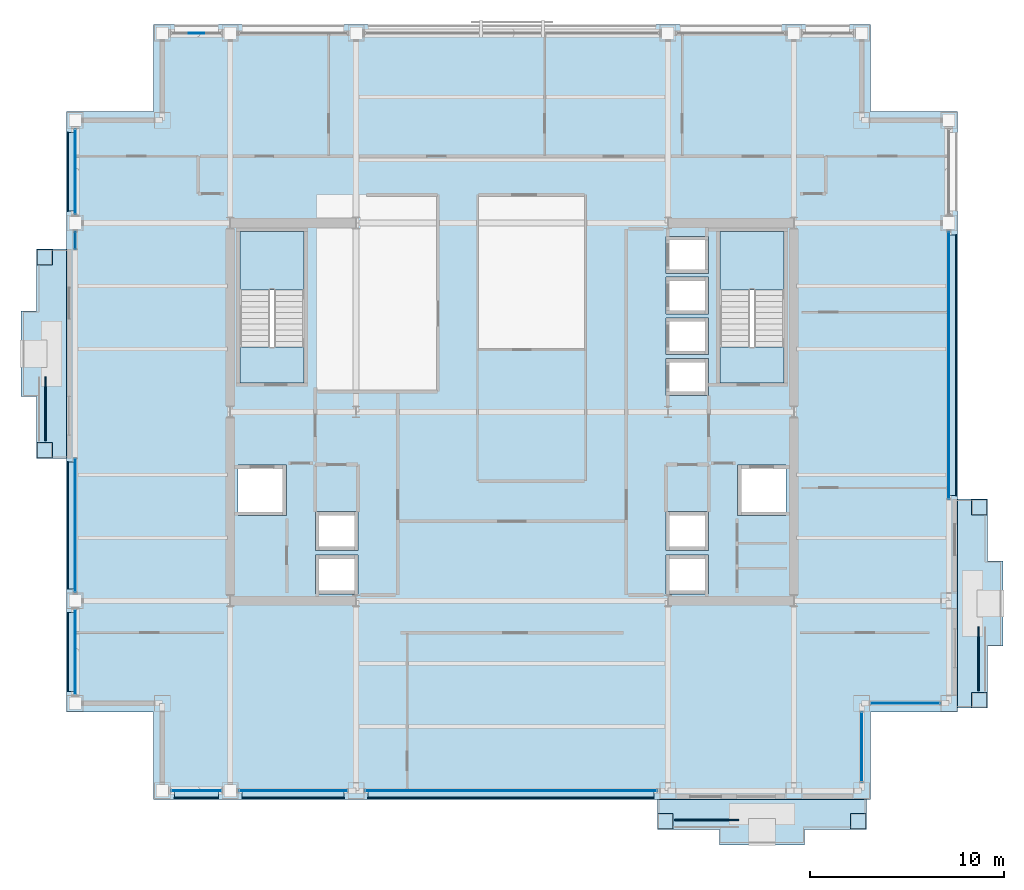
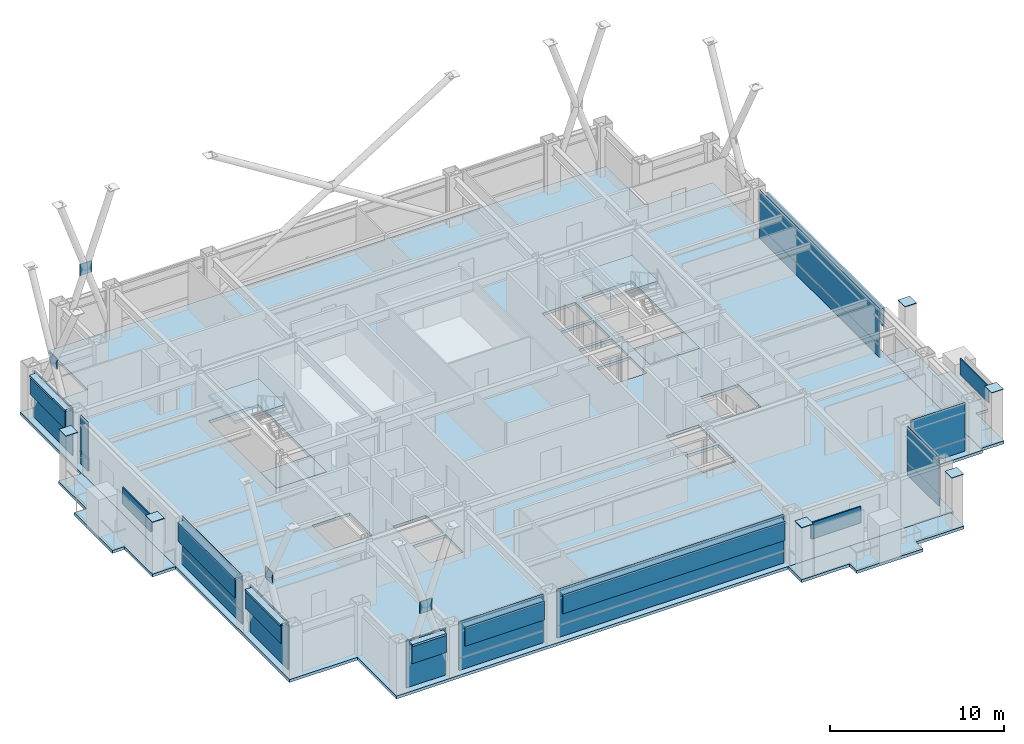
# One storey, part 24 of 32: 44 plates, 8 slabs, 1 member, 12 elements without a shape of their own.
"""IFC4 building model written with IfcOpenShell, lengths in metres."""

from ifc_helpers import new_model, si_unit, direction, frame, origin, origin_2d, place, context, subcontext, project, spatial, polyline, rectangle, hollow_rectangle, outline, extrude, material, layer, layer_set, material_profile, profile_set, type_object, element, aggregate, save


model = new_model("IFC4")

# Units and contexts
model_context = context("Model", 3, precision=1e-05, world=origin(), true_north=direction((0.0, 1.0)))
body_context = subcontext(model_context, "Body", "Model", "MODEL_VIEW")
ifc_project = project(units=[si_unit("LENGTHUNIT", "METRE"), si_unit("AREAUNIT", "SQUARE_METRE"), si_unit("VOLUMEUNIT", "CUBIC_METRE"), si_unit("PLANEANGLEUNIT", "RADIAN"), si_unit("MASSUNIT", "GRAM", prefix="KILO")], contexts=[model_context])

# Site, building, storey
site_placement = place(None, origin())
site = spatial("IfcSite", under=ifc_project, at=site_placement, CompositionType="ELEMENT")
building_placement = place(site_placement, origin())
building = spatial("IfcBuilding", under=site, at=building_placement, Name="Brelmoor Portico Tower", CompositionType="ELEMENT")
storey_placement = place(building_placement, frame((0.0, 0.0, 109.800048828125)))
storey = spatial("IfcBuildingStorey", under=building, at=storey_placement, Name="L28", CompositionType="ELEMENT", Elevation=109.800048828125)

# Curtain wall, member
ifc_material_1 = material(Name="Anodised Aluminium Alloy 6063-T6", Category="aluminium")
ifc_layer_1 = layer(ifc_material_1, 0.179931640625)
ifc_layer_set_1 = layer_set([ifc_layer_1], Name="Anodised Aluminium Alloy 6063-T6")
curtain_wall_type_1 = type_object("IfcCurtainWallType", Name="CW-TOWER-Z2", PredefinedType="NOTDEFINED", material=ifc_layer_set_1)
curtain_wall_1_placement = place(storey_placement, origin())
curtain_wall_1 = element("IfcCurtainWall", 1, at=curtain_wall_1_placement, inside=storey, type_object=curtain_wall_type_1, Name="L28 Curtain Wall CW-L28-3R-1", PredefinedType="NOTDEFINED")
ifc_material_profile = material_profile(ifc_material_1, hollow_rectangle(XDim=0.06494140625, YDim=0.139892578125, WallThickness=0.00390625, at=origin_2d()), Name="ALU TRANSOM 65x140")
ifc_profile_set = profile_set([ifc_material_profile], Name="Anodised Aluminium Alloy 6063-T6")
member_type = type_object("IfcMemberType", Name="MB-CW-TRAN-140", PredefinedType="USERDEFINED", material=ifc_profile_set)
member_placement = place(storey_placement, frame((-22.550048828125, 8.39990234375, 0.849853515625), z_axis=(0.0, 1.0, 0.0), x_axis=(-1.0, 0.0, 0.0)))
member = element("IfcMember", 2, at=member_placement, type_object=member_type, Name="CW-L28-3R-1 Transom 1-00", ObjectType="TRANSOM", PredefinedType="USERDEFINED", context=body_context, shape_type="SweptSolid", body=[
    extrude(hollow_rectangle(XDim=0.06494140625, YDim=0.139892578125, WallThickness=0.00390625, at=origin_2d()), origin(), (0.0, 0.0, 1.0), 0.9150390625),
])

# Plates
ifc_material_2 = material(Name="Steel Q355B", Category="steel")
ifc_layer_2 = layer(ifc_material_2, 0.044921875)
ifc_layer_set_2 = layer_set([ifc_layer_2], Name="Steel Q355B")
plate_type_1 = type_object("IfcPlateType", Name="PT-CAP-650", PredefinedType="SHEET", material=ifc_layer_set_2)
for number, where, z_axis, x_axis, name in (
    (3, (7.919921875, -21.1298828125, 3.599853515625), (0.0, 0.0, 1.0), (1.0, 0.0, 0.0), "L28 Proud Picture-Frame Pier PFJ-S1 Welded Head Cap Plate"),
    (4, (17.8798828125, -21.1298828125, 3.599853515625), (0.0, 0.0, 1.0), (1.0, 0.0, 0.0), "L28 Proud Picture-Frame Pier PFJ-S2 Welded Head Cap Plate"),
    (5, (24.1298828125, -14.8798828125, 3.599853515625), (0.0, 0.0, 1.0), (0.0, 1.0, 0.0), "L28 Proud Picture-Frame Pier PFJ-E1 Welded Head Cap Plate"),
    (6, (24.1298828125, -4.919921875, 3.599853515625), (0.0, 0.0, 1.0), (0.0, 1.0, 0.0), "L28 Proud Picture-Frame Pier PFJ-E2 Welded Head Cap Plate"),
    (7, (-24.1298828125, -1.97998046875, 3.599853515625), (0.0, 0.0, 1.0), (0.0, 1.0, 0.0), "L28 Proud Picture-Frame Pier PFJ-W1 Welded Head Cap Plate"),
    (8, (-24.1298828125, 7.97998046875, 3.599853515625), (0.0, 0.0, 1.0), (0.0, 1.0, 0.0), "L28 Proud Picture-Frame Pier PFJ-W2 Welded Head Cap Plate"),
):
    element("IfcPlate", number, at=place(storey_placement, frame(where, z_axis=z_axis, x_axis=x_axis)), inside=storey, type_object=plate_type_1, Name=name, PredefinedType="SHEET", context=body_context, shape_type="SweptSolid", body=[
        extrude(rectangle(XDim=0.7900390625, YDim=0.7900390625, at=origin_2d()), origin(), (0.0, 0.0, 1.0), 0.0400390625),
    ])

# Curtain wall, plate
curtain_wall_2_placement = place(storey_placement, origin())
curtain_wall_2 = element("IfcCurtainWall", 9, at=curtain_wall_2_placement, inside=storey, type_object=curtain_wall_type_1, Name="L28 Curtain Wall CW-L28-1L-2", PredefinedType="NOTDEFINED")
ifc_material_3 = material(Name="Double-Silver Low-E Insulated Glazing", Category="glass")
ifc_layer_3 = layer(ifc_material_3, 0.035888671875)
ifc_layer_set_3 = layer_set([ifc_layer_3], Name="Double-Silver Low-E Insulated Glazing")
plate_type_2 = type_object("IfcPlateType", Name="PT-CW-GLASS", PredefinedType="CURTAIN_PANEL", material=ifc_layer_set_3)
plate_1_placement = place(storey_placement, frame((-11.300048828125, -19.550048828125, 0.85009765625), z_axis=(0.0, 0.0, 1.0), x_axis=(1.0, 0.0, 0.0)))
plate_1 = element("IfcPlate", 10, at=plate_1_placement, type_object=plate_type_2, Name="CW-L28-1L-2 Vision Glass Panel 00", PredefinedType="CURTAIN_PANEL", context=body_context, shape_type="SweptSolid", body=[
    extrude(rectangle(XDim=5.60009765625, YDim=0.035888671875, at=origin_2d()), origin(), (0.0, 0.0, 1.0), 2.550048828125),
])

curtain_wall_3_placement = place(storey_placement, origin())
curtain_wall_3 = element("IfcCurtainWall", 11, at=curtain_wall_3_placement, inside=storey, type_object=curtain_wall_type_1, Name="L28 Curtain Wall CW-L28-1L-3", PredefinedType="NOTDEFINED")
plate_2_placement = place(storey_placement, frame((-0.0576171875, -19.550048828125, 0.85009765625), z_axis=(0.0, 0.0, 1.0), x_axis=(1.0, 0.0, 0.0)))
plate_2 = element("IfcPlate", 12, at=plate_2_placement, type_object=plate_type_2, Name="CW-L28-1L-3 Vision Glass Panel 00", PredefinedType="CURTAIN_PANEL", context=body_context, shape_type="SweptSolid", body=[
    extrude(rectangle(XDim=15.0849609375, YDim=0.035888671875, at=origin_2d()), origin(), (0.0, 0.0, 1.0), 2.550048828125),
])

curtain_wall_4_placement = place(storey_placement, origin())
curtain_wall_4 = element("IfcCurtainWall", 13, at=curtain_wall_4_placement, inside=storey, type_object=curtain_wall_type_1, Name="L28 Curtain Wall CW-L28-3L-2", PredefinedType="NOTDEFINED")
plate_3_placement = place(storey_placement, frame((-22.550048828125, -5.857421875, 0.85009765625), z_axis=(0.0, 0.0, 1.0), x_axis=(0.0, 1.0, 0.0)))
plate_3 = element("IfcPlate", 14, at=plate_3_placement, type_object=plate_type_2, Name="CW-L28-3L-2 Vision Glass Panel 00", PredefinedType="CURTAIN_PANEL", context=body_context, shape_type="SweptSolid", body=[
    extrude(rectangle(XDim=6.885009765625, YDim=0.035888671875, at=origin_2d()), origin(), (0.0, 0.0, 1.0), 2.550048828125),
])

# Plate
plate_4_placement = place(storey_placement, frame((-22.550048828125, 8.857421875, 0.85009765625), z_axis=(0.0, 0.0, 1.0), x_axis=(0.0, 1.0, 0.0)))
plate_4 = element("IfcPlate", 15, at=plate_4_placement, type_object=plate_type_2, Name="CW-L28-3R-1 Vision Glass Panel 00", PredefinedType="CURTAIN_PANEL", context=body_context, shape_type="SweptSolid", body=[
    extrude(rectangle(XDim=0.885009765625, YDim=0.035888671875, at=origin_2d()), origin(), (0.0, 0.0, 1.0), 2.550048828125),
])

# Curtain wall, plate
curtain_wall_5_placement = place(storey_placement, origin())
curtain_wall_5 = element("IfcCurtainWall", 16, at=curtain_wall_5_placement, inside=storey, type_object=curtain_wall_type_1, Name="L28 Curtain Wall CW-L28-4R-1", PredefinedType="NOTDEFINED")
plate_5_placement = place(storey_placement, frame((22.550048828125, 2.407470703125, 0.85009765625), z_axis=(0.0, 0.0, 1.0), x_axis=(0.0, 1.0, 0.0)))
plate_5 = element("IfcPlate", 17, at=plate_5_placement, type_object=plate_type_2, Name="CW-L28-4R-1 Vision Glass Panel 00", PredefinedType="CURTAIN_PANEL", context=body_context, shape_type="SweptSolid", body=[
    extrude(rectangle(XDim=13.784912109375, YDim=0.035888671875, at=origin_2d()), origin(), (0.0, 0.0, 1.0), 2.550048828125),
])

ifc_layer_4 = layer(ifc_material_1, 0.179931640625)
ifc_layer_set_4 = layer_set([ifc_layer_4], Name="Anodised Aluminium Alloy 6063-T6")
curtain_wall_type_2 = type_object("IfcCurtainWallType", Name="CW-NOTCH-CHAMFER", PredefinedType="NOTDEFINED", material=ifc_layer_set_4)
curtain_wall_6_placement = place(storey_placement, origin())
curtain_wall_6 = element("IfcCurtainWall", 18, at=curtain_wall_6_placement, inside=storey, type_object=curtain_wall_type_2, Name="L28 Curtain Wall CWN-L28-SEH", PredefinedType="NOTDEFINED")
plate_6_placement = place(storey_placement, frame((20.300048828125, -15.050048828125, 0.85009765625), z_axis=(0.0, 0.0, 1.0), x_axis=(1.0, 0.0, 0.0)))
plate_6 = element("IfcPlate", 19, at=plate_6_placement, type_object=plate_type_2, Name="CWN-L28-SEH Vision Glass Panel 00", PredefinedType="CURTAIN_PANEL", context=body_context, shape_type="SweptSolid", body=[
    extrude(rectangle(XDim=3.60009765625, YDim=0.035888671875, at=origin_2d()), origin(), (0.0, 0.0, 1.0), 2.550048828125),
])

curtain_wall_7_placement = place(storey_placement, origin())
curtain_wall_7 = element("IfcCurtainWall", 20, at=curtain_wall_7_placement, inside=storey, type_object=curtain_wall_type_2, Name="L28 Curtain Wall CWN-L28-SEV", PredefinedType="NOTDEFINED")
plate_7_placement = place(storey_placement, frame((18.050048828125, -17.300048828125, 0.85009765625), z_axis=(0.0, 0.0, 1.0), x_axis=(0.0, 1.0, 0.0)))
plate_7 = element("IfcPlate", 21, at=plate_7_placement, type_object=plate_type_2, Name="CWN-L28-SEV Vision Glass Panel 00", PredefinedType="CURTAIN_PANEL", context=body_context, shape_type="SweptSolid", body=[
    extrude(rectangle(XDim=3.60009765625, YDim=0.035888671875, at=origin_2d()), origin(), (0.0, 0.0, 1.0), 2.550048828125),
])

ifc_layer_5 = layer(ifc_material_1, 0.179931640625)
ifc_layer_set_5 = layer_set([ifc_layer_5], Name="Anodised Aluminium Alloy 6063-T6")
curtain_wall_type_3 = type_object("IfcCurtainWallType", Name="CW-TOWER-Z2-XB", PredefinedType="NOTDEFINED", material=ifc_layer_set_5)
curtain_wall_8_placement = place(storey_placement, origin())
curtain_wall_8 = element("IfcCurtainWall", 22, at=curtain_wall_8_placement, inside=storey, type_object=curtain_wall_type_3, Name="L28 Curtain Wall CW-L28-1L-1", PredefinedType="NOTDEFINED")
ifc_material_4 = material(Name="Pale Champagne Anodised Aluminium Panel", Category="aluminium")
ifc_layer_6 = layer(ifc_material_4, 0.050048828125)
ifc_layer_set_6 = layer_set([ifc_layer_6], Name="Pale Champagne Anodised Aluminium Panel")
plate_type_3 = type_object("IfcPlateType", Name="PT-CW-SPANDREL", PredefinedType="SHEET", material=ifc_layer_set_6)
plate_8_placement = place(storey_placement, frame((-16.300048828125, -19.550048828125, 0.0), z_axis=(0.0, 0.0, 1.0), x_axis=(1.0, 0.0, 0.0)))
plate_8 = element("IfcPlate", 23, at=plate_8_placement, type_object=plate_type_3, Name="CW-L28-1L-1 Spandrel Panel 00", PredefinedType="SHEET", context=body_context, shape_type="SweptSolid", body=[
    extrude(rectangle(XDim=2.60009765625, YDim=0.050048828125, at=origin_2d()), origin(), (0.0, 0.0, 1.0), 3.330078125),
])
aggregate(curtain_wall_8, [plate_8])

# Plate
plate_9_placement = place(storey_placement, frame((-11.300048828125, -19.550048828125, 0.0), z_axis=(0.0, 0.0, 1.0), x_axis=(1.0, 0.0, 0.0)))
plate_9 = element("IfcPlate", 24, at=plate_9_placement, type_object=plate_type_3, Name="CW-L28-1L-2 Spandrel Panel 00", PredefinedType="SHEET", context=body_context, shape_type="SweptSolid", body=[
    extrude(rectangle(XDim=5.60009765625, YDim=0.050048828125, at=origin_2d()), origin(), (0.0, 0.0, 1.0), 0.85009765625),
])

aggregate(curtain_wall_2, [plate_9, plate_1])

plate_10_placement = place(storey_placement, frame((-0.0576171875, -19.550048828125, 0.0), z_axis=(0.0, 0.0, 1.0), x_axis=(1.0, 0.0, 0.0)))
plate_10 = element("IfcPlate", 25, at=plate_10_placement, type_object=plate_type_3, Name="CW-L28-1L-3 Spandrel Panel 00", PredefinedType="SHEET", context=body_context, shape_type="SweptSolid", body=[
    extrude(rectangle(XDim=15.0849609375, YDim=0.050048828125, at=origin_2d()), origin(), (0.0, 0.0, 1.0), 0.85009765625),
])

aggregate(curtain_wall_3, [plate_10, plate_2])

# Curtain wall, plate
curtain_wall_9_placement = place(storey_placement, origin())
curtain_wall_9 = element("IfcCurtainWall", 26, at=curtain_wall_9_placement, inside=storey, type_object=curtain_wall_type_3, Name="L28 Curtain Wall CW-L28-3L-1", PredefinedType="NOTDEFINED")
plate_11_placement = place(storey_placement, frame((-22.550048828125, -12.39990234375, 0.0), z_axis=(0.0, 0.0, 1.0), x_axis=(0.0, 1.0, 0.0)))
plate_11 = element("IfcPlate", 27, at=plate_11_placement, type_object=plate_type_3, Name="CW-L28-3L-1 Spandrel Panel 00", PredefinedType="SHEET", context=body_context, shape_type="SweptSolid", body=[
    extrude(rectangle(XDim=4.39990234375, YDim=0.050048828125, at=origin_2d()), origin(), (0.0, 0.0, 1.0), 3.330078125),
])
aggregate(curtain_wall_9, [plate_11])

# Plate
plate_12_placement = place(storey_placement, frame((-22.550048828125, -5.857421875, 0.0), z_axis=(0.0, 0.0, 1.0), x_axis=(0.0, 1.0, 0.0)))
plate_12 = element("IfcPlate", 28, at=plate_12_placement, type_object=plate_type_3, Name="CW-L28-3L-2 Spandrel Panel 00", PredefinedType="SHEET", context=body_context, shape_type="SweptSolid", body=[
    extrude(rectangle(XDim=6.885009765625, YDim=0.050048828125, at=origin_2d()), origin(), (0.0, 0.0, 1.0), 0.85009765625),
])

aggregate(curtain_wall_4, [plate_12, plate_3])

plate_13_placement = place(storey_placement, frame((-22.550048828125, 8.857421875, 0.0), z_axis=(0.0, 0.0, 1.0), x_axis=(0.0, 1.0, 0.0)))
plate_13 = element("IfcPlate", 29, at=plate_13_placement, type_object=plate_type_3, Name="CW-L28-3R-1 Spandrel Panel 00", PredefinedType="SHEET", context=body_context, shape_type="SweptSolid", body=[
    extrude(rectangle(XDim=0.885009765625, YDim=0.050048828125, at=origin_2d()), origin(), (0.0, 0.0, 1.0), 0.85009765625),
])

aggregate(curtain_wall_1, [member, plate_13, plate_4])

# Curtain wall, plate
curtain_wall_10_placement = place(storey_placement, origin())
curtain_wall_10 = element("IfcCurtainWall", 30, at=curtain_wall_10_placement, inside=storey, type_object=curtain_wall_type_3, Name="L28 Curtain Wall CW-L28-3R-2", PredefinedType="NOTDEFINED")
plate_14_placement = place(storey_placement, frame((-22.550048828125, 12.39990234375, 0.0), z_axis=(0.0, 0.0, 1.0), x_axis=(0.0, 1.0, 0.0)))
plate_14 = element("IfcPlate", 31, at=plate_14_placement, type_object=plate_type_3, Name="CW-L28-3R-2 Spandrel Panel 00", PredefinedType="SHEET", context=body_context, shape_type="SweptSolid", body=[
    extrude(rectangle(XDim=4.39990234375, YDim=0.050048828125, at=origin_2d()), origin(), (0.0, 0.0, 1.0), 3.330078125),
])
aggregate(curtain_wall_10, [plate_14])

# Plate
plate_15_placement = place(storey_placement, frame((22.550048828125, 2.407470703125, 0.0), z_axis=(0.0, 0.0, 1.0), x_axis=(0.0, 1.0, 0.0)))
plate_15 = element("IfcPlate", 32, at=plate_15_placement, type_object=plate_type_3, Name="CW-L28-4R-1 Spandrel Panel 00", PredefinedType="SHEET", context=body_context, shape_type="SweptSolid", body=[
    extrude(rectangle(XDim=13.784912109375, YDim=0.050048828125, at=origin_2d()), origin(), (0.0, 0.0, 1.0), 0.85009765625),
])

aggregate(curtain_wall_5, [plate_15, plate_5])

plate_16_placement = place(storey_placement, frame((20.300048828125, -15.050048828125, 0.0), z_axis=(0.0, 0.0, 1.0), x_axis=(1.0, 0.0, 0.0)))
plate_16 = element("IfcPlate", 33, at=plate_16_placement, type_object=plate_type_3, Name="CWN-L28-SEH Spandrel Panel 00", PredefinedType="SHEET", context=body_context, shape_type="SweptSolid", body=[
    extrude(rectangle(XDim=3.60009765625, YDim=0.050048828125, at=origin_2d()), origin(), (0.0, 0.0, 1.0), 0.85009765625),
])

aggregate(curtain_wall_6, [plate_16, plate_6])

plate_17_placement = place(storey_placement, frame((18.050048828125, -17.300048828125, 0.0), z_axis=(0.0, 0.0, 1.0), x_axis=(0.0, 1.0, 0.0)))
plate_17 = element("IfcPlate", 34, at=plate_17_placement, type_object=plate_type_3, Name="CWN-L28-SEV Spandrel Panel 00", PredefinedType="SHEET", context=body_context, shape_type="SweptSolid", body=[
    extrude(rectangle(XDim=3.60009765625, YDim=0.050048828125, at=origin_2d()), origin(), (0.0, 0.0, 1.0), 0.85009765625),
])

aggregate(curtain_wall_7, [plate_17, plate_7])

# Plates
ifc_layer_7 = layer(ifc_material_2, 0.050048828125)
ifc_layer_set_7 = layer_set([ifc_layer_7], Name="Steel Q355B")
plate_type_4 = type_object("IfcPlateType", Name="PT-GUSSET-800", PredefinedType="USERDEFINED", material=ifc_layer_set_7)
for number, where, z_axis, x_axis, name in (
    (35, (-16.300048828125, -19.550048828125, 4.89990234375), (0.0, 0.0, 1.0), (1.0, 0.0, 0.0), "L28 Perimeter Mega-Brace Gusset 057"),
    (36, (-16.300048828125, 19.550048828125, 4.89990234375), (0.0, 0.0, 1.0), (1.0, 0.0, 0.0), "L28 Perimeter Mega-Brace Gusset 058"),
):
    element("IfcPlate", number, at=place(storey_placement, frame(where, z_axis=z_axis, x_axis=x_axis)), inside=storey, type_object=plate_type_4, Name=name, ObjectType="GUSSET PLATE", PredefinedType="USERDEFINED", context=body_context, shape_type="SweptSolid", body=[
        extrude(rectangle(XDim=0.800048828125, YDim=0.050048828125, at=origin_2d()), origin(), (0.0, 0.0, 1.0), 0.800048828125),
    ])
for number, where, z_axis, x_axis, name in (
    (37, (-22.550048828125, -12.39990234375, 4.89990234375), (0.0, 0.0, 1.0), (1.0, 0.0, 0.0), "L28 Perimeter Mega-Brace Gusset 061"),
    (38, (-22.550048828125, 12.39990234375, 4.89990234375), (0.0, 0.0, 1.0), (1.0, 0.0, 0.0), "L28 Perimeter Mega-Brace Gusset 062"),
):
    element("IfcPlate", number, at=place(storey_placement, frame(where, z_axis=z_axis, x_axis=x_axis)), inside=storey, type_object=plate_type_4, Name=name, ObjectType="GUSSET PLATE", PredefinedType="USERDEFINED", context=body_context, shape_type="SweptSolid", body=[
        extrude(rectangle(XDim=0.050048828125, YDim=0.800048828125, at=origin_2d()), origin(), (0.0, 0.0, 1.0), 0.800048828125),
    ])
ifc_material_5 = material(Name="Powder-Coated Aluminium Shuttered Jalousie Louvre", Category="aluminium")
ifc_layer_8 = layer(ifc_material_5, 0.06005859375)
ifc_layer_set_8 = layer_set([ifc_layer_8], Name="Powder-Coated Aluminium Shuttered Jalousie Louvre")
plate_type_5 = type_object("IfcPlateType", Name="PT-JALOUSIE-SHUTTER", PredefinedType="SHEET", material=ifc_layer_set_8)
plate_18_placement = place(storey_placement, frame((-16.300048828125, -19.929931640625, 1.8740234375), z_axis=(0.0, 0.0, 1.0), x_axis=(1.0, 0.0, 0.0)))
element("IfcPlate", 39, at=plate_18_placement, inside=storey, type_object=plate_type_5, Name="CW-L28-1L-1 Perforated Jalousie Solar Screen", PredefinedType="SHEET", context=body_context, shape_type="SweptSolid", body=[
    extrude(rectangle(XDim=2.27001953125, YDim=0.06494140625, at=origin_2d()), origin(), (0.0, 0.0, 1.0), 1.325927734375),
])
plate_19_placement = place(storey_placement, frame((-11.300048828125, -19.929931640625, 1.8740234375), z_axis=(0.0, 0.0, 1.0), x_axis=(1.0, 0.0, 0.0)))
element("IfcPlate", 40, at=plate_19_placement, inside=storey, type_object=plate_type_5, Name="CW-L28-1L-2 Perforated Jalousie Solar Screen", PredefinedType="SHEET", context=body_context, shape_type="SweptSolid", body=[
    extrude(rectangle(XDim=5.27001953125, YDim=0.06494140625, at=origin_2d()), origin(), (0.0, 0.0, 1.0), 1.325927734375),
])
plate_20_placement = place(storey_placement, frame((-0.0576171875, -19.929931640625, 1.8740234375), z_axis=(0.0, 0.0, 1.0), x_axis=(1.0, 0.0, 0.0)))
element("IfcPlate", 41, at=plate_20_placement, inside=storey, type_object=plate_type_5, Name="CW-L28-1L-3 Perforated Jalousie Solar Screen", PredefinedType="SHEET", context=body_context, shape_type="SweptSolid", body=[
    extrude(rectangle(XDim=14.7548828125, YDim=0.06494140625, at=origin_2d()), origin(), (0.0, 0.0, 1.0), 1.325927734375),
])
plate_21_placement = place(storey_placement, frame((10.050048828125, -21.080078125, 2.27490234375), z_axis=(0.0, 0.0, 1.0), x_axis=(1.0, 0.0, 0.0)))
element("IfcPlate", 42, at=plate_21_placement, inside=storey, type_object=plate_type_5, Name="L28 Shuttered Veranda Screen S", PredefinedType="SHEET", context=body_context, shape_type="SweptSolid", body=[
    extrude(rectangle(XDim=3.300048828125, YDim=0.080078125, at=origin_2d()), origin(), (0.0, 0.0, 1.0), 1.14990234375),
])
plate_22_placement = place(storey_placement, frame((-22.929931640625, -12.39990234375, 1.8740234375), z_axis=(0.0, 0.0, 1.0), x_axis=(0.0, 1.0, 0.0)))
element("IfcPlate", 43, at=plate_22_placement, inside=storey, type_object=plate_type_5, Name="CW-L28-3L-1 Perforated Jalousie Solar Screen", PredefinedType="SHEET", context=body_context, shape_type="SweptSolid", body=[
    extrude(rectangle(XDim=4.070068359375, YDim=0.06494140625, at=origin_2d()), origin(), (0.0, 0.0, 1.0), 1.325927734375),
])
plate_23_placement = place(storey_placement, frame((-22.929931640625, -5.857421875, 1.8740234375), z_axis=(0.0, 0.0, 1.0), x_axis=(0.0, 1.0, 0.0)))
element("IfcPlate", 44, at=plate_23_placement, inside=storey, type_object=plate_type_5, Name="CW-L28-3L-2 Perforated Jalousie Solar Screen", PredefinedType="SHEET", context=body_context, shape_type="SweptSolid", body=[
    extrude(rectangle(XDim=6.554931640625, YDim=0.06494140625, at=origin_2d()), origin(), (0.0, 0.0, 1.0), 1.325927734375),
])
plate_24_placement = place(storey_placement, frame((-22.929931640625, 12.39990234375, 1.8740234375), z_axis=(0.0, 0.0, 1.0), x_axis=(0.0, 1.0, 0.0)))
element("IfcPlate", 45, at=plate_24_placement, inside=storey, type_object=plate_type_5, Name="CW-L28-3R-2 Perforated Jalousie Solar Screen", PredefinedType="SHEET", context=body_context, shape_type="SweptSolid", body=[
    extrude(rectangle(XDim=4.070068359375, YDim=0.06494140625, at=origin_2d()), origin(), (0.0, 0.0, 1.0), 1.325927734375),
])
plate_25_placement = place(storey_placement, frame((-24.080078125, 0.14990234375, 2.27490234375), z_axis=(0.0, 0.0, 1.0), x_axis=(0.0, 1.0, 0.0)))
element("IfcPlate", 46, at=plate_25_placement, inside=storey, type_object=plate_type_5, Name="L28 Shuttered Veranda Screen W", PredefinedType="SHEET", context=body_context, shape_type="SweptSolid", body=[
    extrude(rectangle(XDim=3.300048828125, YDim=0.080078125, at=origin_2d()), origin(), (0.0, 0.0, 1.0), 1.14990234375),
])
plate_26_placement = place(storey_placement, frame((22.929931640625, 2.407470703125, 1.8740234375), z_axis=(0.0, 0.0, 1.0), x_axis=(0.0, 1.0, 0.0)))
element("IfcPlate", 47, at=plate_26_placement, inside=storey, type_object=plate_type_5, Name="CW-L28-4R-1 Perforated Jalousie Solar Screen", PredefinedType="SHEET", context=body_context, shape_type="SweptSolid", body=[
    extrude(rectangle(XDim=13.455078125, YDim=0.06494140625, at=origin_2d()), origin(), (0.0, 0.0, 1.0), 1.325927734375),
])
plate_27_placement = place(storey_placement, frame((24.080078125, -12.75, 2.27490234375), z_axis=(0.0, 0.0, 1.0), x_axis=(0.0, 1.0, 0.0)))
element("IfcPlate", 48, at=plate_27_placement, inside=storey, type_object=plate_type_5, Name="L28 Shuttered Veranda Screen E", PredefinedType="SHEET", context=body_context, shape_type="SweptSolid", body=[
    extrude(rectangle(XDim=3.300048828125, YDim=0.080078125, at=origin_2d()), origin(), (0.0, 0.0, 1.0), 1.14990234375),
])
ifc_material_6 = material(Name="Pale Champagne Perforated Aluminium Solar Screen", Category="aluminium")
ifc_layer_9 = layer(ifc_material_6, 0.054931640625)
ifc_layer_set_9 = layer_set([ifc_layer_9], Name="Pale Champagne Perforated Aluminium Solar Screen")
plate_type_6 = type_object("IfcPlateType", Name="PT-SOLAR-LOUVRE", PredefinedType="SHEET", material=ifc_layer_set_9)
plate_28_placement = place(storey_placement, frame((-16.300048828125, -19.760009765625, 3.08984375), z_axis=(0.0, 0.0, 1.0), x_axis=(1.0, 0.0, 0.0)))
element("IfcPlate", 49, at=plate_28_placement, inside=storey, type_object=plate_type_6, Name="CW-L28-1L-1 Caribbean Brise-Soleil Solar Screen", PredefinedType="SHEET", context=body_context, shape_type="SweptSolid", body=[
    extrude(rectangle(XDim=2.27001953125, YDim=0.4599609375, at=origin_2d()), origin(), (0.0, 0.0, 1.0), 0.139892578125),
])
plate_29_placement = place(storey_placement, frame((-11.300048828125, -19.760009765625, 3.08984375), z_axis=(0.0, 0.0, 1.0), x_axis=(1.0, 0.0, 0.0)))
element("IfcPlate", 50, at=plate_29_placement, inside=storey, type_object=plate_type_6, Name="CW-L28-1L-2 Caribbean Brise-Soleil Solar Screen", PredefinedType="SHEET", context=body_context, shape_type="SweptSolid", body=[
    extrude(rectangle(XDim=5.27001953125, YDim=0.4599609375, at=origin_2d()), origin(), (0.0, 0.0, 1.0), 0.139892578125),
])
plate_30_placement = place(storey_placement, frame((-0.0576171875, -19.760009765625, 3.08984375), z_axis=(0.0, 0.0, 1.0), x_axis=(1.0, 0.0, 0.0)))
element("IfcPlate", 51, at=plate_30_placement, inside=storey, type_object=plate_type_6, Name="CW-L28-1L-3 Caribbean Brise-Soleil Solar Screen", PredefinedType="SHEET", context=body_context, shape_type="SweptSolid", body=[
    extrude(rectangle(XDim=14.7548828125, YDim=0.4599609375, at=origin_2d()), origin(), (0.0, 0.0, 1.0), 0.139892578125),
])
plate_31_placement = place(storey_placement, frame((-22.760009765625, -12.39990234375, 3.08984375), z_axis=(0.0, 0.0, 1.0), x_axis=(0.0, 1.0, 0.0)))
element("IfcPlate", 52, at=plate_31_placement, inside=storey, type_object=plate_type_6, Name="CW-L28-3L-1 Caribbean Brise-Soleil Solar Screen", PredefinedType="SHEET", context=body_context, shape_type="SweptSolid", body=[
    extrude(rectangle(XDim=4.070068359375, YDim=0.4599609375, at=origin_2d()), origin(), (0.0, 0.0, 1.0), 0.139892578125),
])
plate_32_placement = place(storey_placement, frame((-22.760009765625, -5.857421875, 3.08984375), z_axis=(0.0, 0.0, 1.0), x_axis=(0.0, 1.0, 0.0)))
element("IfcPlate", 53, at=plate_32_placement, inside=storey, type_object=plate_type_6, Name="CW-L28-3L-2 Caribbean Brise-Soleil Solar Screen", PredefinedType="SHEET", context=body_context, shape_type="SweptSolid", body=[
    extrude(rectangle(XDim=6.554931640625, YDim=0.4599609375, at=origin_2d()), origin(), (0.0, 0.0, 1.0), 0.139892578125),
])
plate_33_placement = place(storey_placement, frame((-22.760009765625, 12.39990234375, 3.08984375), z_axis=(0.0, 0.0, 1.0), x_axis=(0.0, 1.0, 0.0)))
element("IfcPlate", 54, at=plate_33_placement, inside=storey, type_object=plate_type_6, Name="CW-L28-3R-2 Caribbean Brise-Soleil Solar Screen", PredefinedType="SHEET", context=body_context, shape_type="SweptSolid", body=[
    extrude(rectangle(XDim=4.070068359375, YDim=0.4599609375, at=origin_2d()), origin(), (0.0, 0.0, 1.0), 0.139892578125),
])
plate_34_placement = place(storey_placement, frame((22.760009765625, 2.407470703125, 3.08984375), z_axis=(0.0, 0.0, 1.0), x_axis=(0.0, 1.0, 0.0)))
element("IfcPlate", 55, at=plate_34_placement, inside=storey, type_object=plate_type_6, Name="CW-L28-4R-1 Caribbean Brise-Soleil Solar Screen", PredefinedType="SHEET", context=body_context, shape_type="SweptSolid", body=[
    extrude(rectangle(XDim=13.455078125, YDim=0.4599609375, at=origin_2d()), origin(), (0.0, 0.0, 1.0), 0.139892578125),
])

# Slabs
ifc_material_7 = material(Name="Concrete C40", Category="concrete")
ifc_layer_10 = layer(ifc_material_7, 0.199951171875)
ifc_layer_set_10 = layer_set([ifc_layer_10], Name="Concrete C40")
slab_type_1 = type_object("IfcSlabType", Name="SL-BALCONY-200", PredefinedType="FLOOR", material=ifc_layer_set_10)
slab_1_placement = place(storey_placement, frame((0.0, 0.0, -0.199951171875)))
element("IfcSlab", 56, at=slab_1_placement, inside=storey, type_object=slab_type_1, Name="L28 Loggia Tree Balcony Slab S", PredefinedType="FLOOR", context=body_context, shape_type="SweptSolid", body=[
    extrude(outline(polyline([(7.5, -21.550048828125), (10.699951171875, -21.550048828125), (10.699951171875, -22.35009765625), (15.10009765625, -22.35009765625), (15.10009765625, -21.550048828125), (18.300048828125, -21.550048828125), (18.300048828125, -20.0), (7.5, -20.0), (7.5, -21.550048828125)])), origin(), (0.0, 0.0, 1.0), 0.199951171875),
])
slab_2_placement = place(storey_placement, frame((0.0, 0.0, -0.199951171875)))
element("IfcSlab", 57, at=slab_2_placement, inside=storey, type_object=slab_type_1, Name="L28 Loggia Tree Balcony Slab E", PredefinedType="FLOOR", context=body_context, shape_type="SweptSolid", body=[
    extrude(outline(polyline([(23.0, -15.300048828125), (24.550048828125, -15.300048828125), (24.550048828125, -12.10009765625), (25.35009765625, -12.10009765625), (25.35009765625, -7.699951171875), (24.550048828125, -7.699951171875), (24.550048828125, -4.5), (23.0, -4.5), (23.0, -15.300048828125)])), origin(), (0.0, 0.0, 1.0), 0.199951171875),
])
slab_3_placement = place(storey_placement, frame((0.0, 0.0, -0.199951171875)))
element("IfcSlab", 58, at=slab_3_placement, inside=storey, type_object=slab_type_1, Name="L28 Loggia Tree Balcony Slab W", PredefinedType="FLOOR", context=body_context, shape_type="SweptSolid", body=[
    extrude(outline(polyline([(-24.550048828125, -2.39990234375), (-23.0, -2.39990234375), (-23.0, 8.39990234375), (-24.550048828125, 8.39990234375), (-24.550048828125, 5.199951171875), (-25.35009765625, 5.199951171875), (-25.35009765625, 0.800048828125), (-24.550048828125, 0.800048828125), (-24.550048828125, -2.39990234375)])), origin(), (0.0, 0.0, 1.0), 0.199951171875),
])
ifc_layer_11 = layer(ifc_material_7, 0.199951171875)
ifc_layer_set_11 = layer_set([ifc_layer_11], Name="Concrete C40")
slab_type_2 = type_object("IfcSlabType", Name="SL-FLOOR-200", PredefinedType="FLOOR", material=ifc_layer_set_11)
slab_4_placement = place(storey_placement, frame((0.0, 0.0, -0.199951171875)))
element("IfcSlab", 59, at=slab_4_placement, inside=storey, type_object=slab_type_2, Name="L28 Main Structural Floor Slab", PredefinedType="FLOOR", context=body_context, shape_type="SweptSolid", body=[
    extrude(outline(polyline([(-18.5, -20.0), (18.5, -20.0), (18.5, -15.5), (23.0, -15.5), (23.0, 15.5), (18.5, 15.5), (18.5, 20.0), (-18.5, 20.0), (-18.5, 15.5), (-23.0, 15.5), (-23.0, -15.5), (-18.5, -15.5), (-18.5, -20.0)]), holes=[polyline([(-10.72998046875, 1.5), (-10.72998046875, 9.300048828125), (-14.050048828125, 9.300048828125), (-14.050048828125, 1.5), (-10.72998046875, 1.5)]), polyline([(14.050048828125, 1.5), (14.050048828125, 9.300048828125), (10.72998046875, 9.300048828125), (10.72998046875, 1.5), (14.050048828125, 1.5)]), polyline([(7.949951171875, 0.85009765625), (10.14990234375, 0.85009765625), (10.14990234375, 2.75), (7.949951171875, 2.75), (7.949951171875, 0.85009765625)]), polyline([(7.949951171875, 2.949951171875), (10.14990234375, 2.949951171875), (10.14990234375, 4.85009765625), (7.949951171875, 4.85009765625), (7.949951171875, 2.949951171875)]), polyline([(7.949951171875, 5.050048828125), (10.14990234375, 5.050048828125), (10.14990234375, 6.949951171875), (7.949951171875, 6.949951171875), (7.949951171875, 5.050048828125)]), polyline([(7.949951171875, 7.14990234375), (10.14990234375, 7.14990234375), (10.14990234375, 9.050048828125), (7.949951171875, 9.050048828125), (7.949951171875, 7.14990234375)]), polyline([(-10.14990234375, -9.39990234375), (-7.949951171875, -9.39990234375), (-7.949951171875, -7.39990234375), (-10.14990234375, -7.39990234375), (-10.14990234375, -9.39990234375)]), polyline([(-10.14990234375, -7.14990234375), (-7.949951171875, -7.14990234375), (-7.949951171875, -5.14990234375), (-10.14990234375, -5.14990234375), (-10.14990234375, -7.14990234375)]), polyline([(7.949951171875, -9.39990234375), (10.14990234375, -9.39990234375), (10.14990234375, -7.39990234375), (7.949951171875, -7.39990234375), (7.949951171875, -9.39990234375)]), polyline([(7.949951171875, -7.14990234375), (10.14990234375, -7.14990234375), (10.14990234375, -5.14990234375), (7.949951171875, -5.14990234375), (7.949951171875, -7.14990234375)]), polyline([(-14.14990234375, -5.35009765625), (-11.64990234375, -5.35009765625), (-11.64990234375, -2.75), (-14.14990234375, -2.75), (-14.14990234375, -5.35009765625)]), polyline([(11.64990234375, -5.35009765625), (14.14990234375, -5.35009765625), (14.14990234375, -2.75), (11.64990234375, -2.75), (11.64990234375, -5.35009765625)])]), origin(), (0.0, 0.0, 1.0), 0.199951171875),
])

# Stair, slab
stair_type_1 = type_object("IfcStairType", Name="ST-CORE-W", PredefinedType="HALF_TURN_STAIR", material=ifc_material_7)
stair_1_placement = place(storey_placement, origin())
stair_1 = element("IfcStair", 60, at=stair_1_placement, inside=storey, type_object=stair_type_1, Name="L28 Protected Core Exit Stair ST-W", PredefinedType="HALF_TURN_STAIR")
ifc_layer_12 = layer(ifc_material_7, 0.179931640625)
ifc_layer_set_12 = layer_set([ifc_layer_12], Name="Concrete C40")
slab_type_3 = type_object("IfcSlabType", Name="SL-LANDING-180", PredefinedType="LANDING", material=ifc_layer_set_12)
slab_5_placement = place(storey_placement, frame((0.0, 0.0, 1.599853515625)))
slab_5 = element("IfcSlab", 61, at=slab_5_placement, type_object=slab_type_3, Name="ST-W landing 1", PredefinedType="LANDING", context=body_context, shape_type="SweptSolid", body=[
    extrude(outline(polyline([(-10.72998046875, 6.300048828125), (-10.72998046875, 9.300048828125), (-14.050048828125, 9.300048828125), (-14.050048828125, 6.300048828125), (-10.72998046875, 6.300048828125)])), origin(), (0.0, 0.0, 1.0), 0.2001953125),
])
aggregate(stair_1, [slab_5])

stair_type_2 = type_object("IfcStairType", Name="ST-CORE-E", PredefinedType="HALF_TURN_STAIR", material=ifc_material_7)
stair_2_placement = place(storey_placement, origin())
stair_2 = element("IfcStair", 62, at=stair_2_placement, inside=storey, type_object=stair_type_2, Name="L28 Protected Core Exit Stair ST-E", PredefinedType="HALF_TURN_STAIR")
slab_6_placement = place(storey_placement, frame((0.0, 0.0, 1.599853515625)))
slab_6 = element("IfcSlab", 63, at=slab_6_placement, type_object=slab_type_3, Name="ST-E landing 1", PredefinedType="LANDING", context=body_context, shape_type="SweptSolid", body=[
    extrude(outline(polyline([(14.050048828125, 6.300048828125), (14.050048828125, 9.300048828125), (10.72998046875, 9.300048828125), (10.72998046875, 6.300048828125), (14.050048828125, 6.300048828125)])), origin(), (0.0, 0.0, 1.0), 0.2001953125),
])
aggregate(stair_2, [slab_6])

# Slabs
ifc_layer_13 = layer(ifc_material_7, 0.199951171875)
ifc_layer_set_13 = layer_set([ifc_layer_13], Name="Concrete C40")
slab_type_4 = type_object("IfcSlabType", Name="SL-STAIR-FL200", PredefinedType="LANDING", material=ifc_layer_set_13)
slab_7_placement = place(storey_placement, frame((0.0, 0.0, -0.199951171875)))
element("IfcSlab", 64, at=slab_7_placement, inside=storey, type_object=slab_type_4, Name="L28 ST-W Structural Floor Landing Slab", PredefinedType="LANDING", context=body_context, shape_type="SweptSolid", body=[
    extrude(outline(polyline([(-10.72998046875, 1.5), (-10.72998046875, 3.35009765625), (-14.050048828125, 3.35009765625), (-14.050048828125, 1.5), (-10.72998046875, 1.5)])), origin(), (0.0, 0.0, 1.0), 0.199951171875),
])
slab_8_placement = place(storey_placement, frame((0.0, 0.0, -0.199951171875)))
element("IfcSlab", 65, at=slab_8_placement, inside=storey, type_object=slab_type_4, Name="L28 ST-E Structural Floor Landing Slab", PredefinedType="LANDING", context=body_context, shape_type="SweptSolid", body=[
    extrude(outline(polyline([(14.050048828125, 1.5), (14.050048828125, 3.35009765625), (10.72998046875, 3.35009765625), (10.72998046875, 1.5), (14.050048828125, 1.5)])), origin(), (0.0, 0.0, 1.0), 0.199951171875),
])

save(model, "model.ifc")
